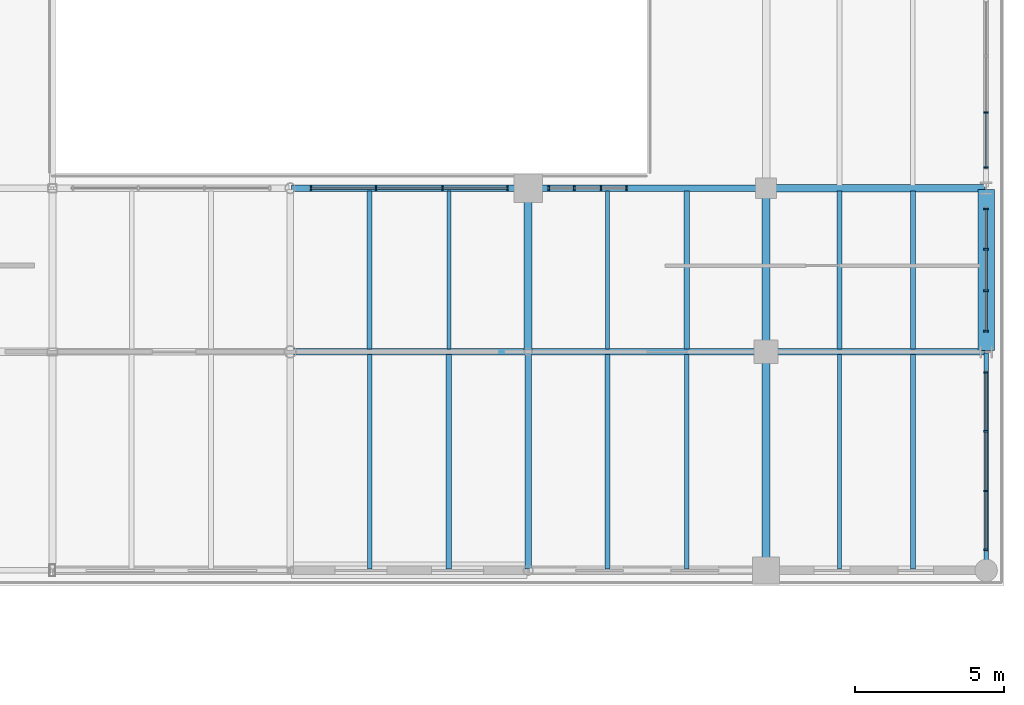
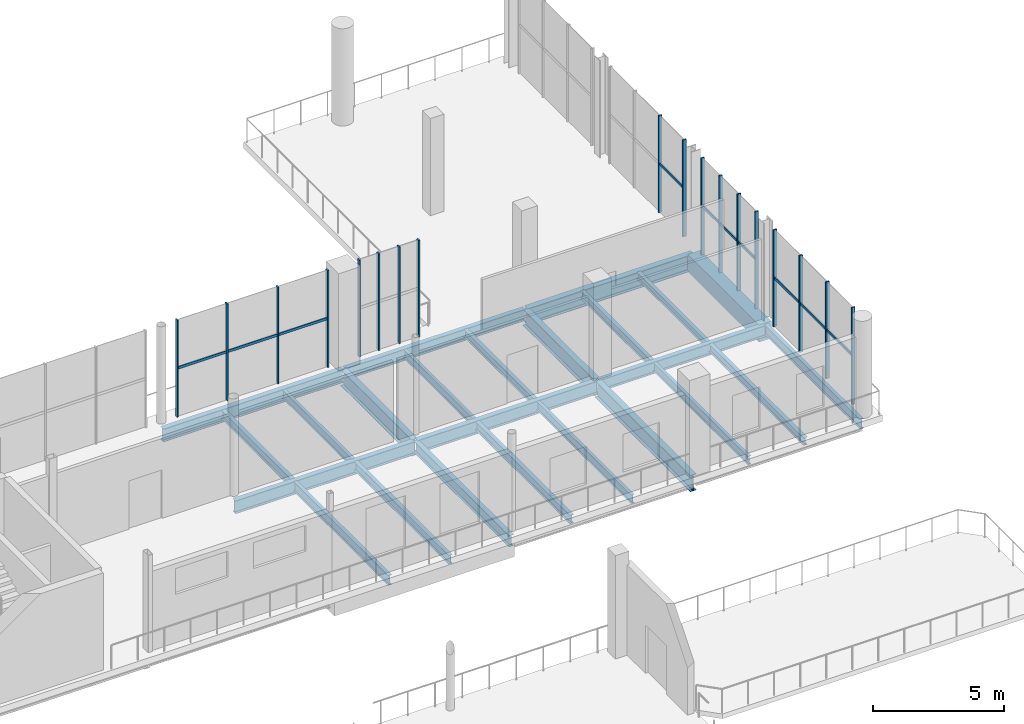
# One storey, part 57 of 93: 28 members, 24 beams, 5 elements without a shape of their own.
"""IFC4 building model written with IfcOpenShell, lengths in metres."""

import ifcopenshell
import ifcopenshell.guid

model = None  # the IFC model being written
_history = None  # IfcOwnerHistory: only IFC2X3 demands one
_inside = {}  # id of a spatial element -> (the spatial element, [elements in it])
_under = {}  # id of a project, library or spatial element -> (it, [spatial elements below it])
_declared = {}  # id of a project -> (the project, [libraries it declares])
_typed = {}  # id of a type object -> (the type object, [elements of that type])
_made_of = {}  # id of a material, layer set ... -> (it, [elements and type objects made of it])


def new_model(schema):
    """Start an empty IFC model of exactly this schema.

    Asked for "IFC4X3", IfcOpenShell would pick the latest addendum, in which some entities
    have other attributes; the version numbers below select the first issue.
    IFC2X3 requires an IfcOwnerHistory on every rooted entity: one is made here for all.
    """
    global model, _history
    if schema == "IFC4X3":
        model = ifcopenshell.file(schema_version=(4, 3, 0, 0))
    else:
        model = ifcopenshell.file(schema=schema)
    _inside.clear()
    _under.clear()
    _declared.clear()
    _typed.clear()
    _made_of.clear()
    _history = None
    if model.schema == "IFC2X3":
        org = make("IfcOrganization", Name="unknown")
        user = make(
            "IfcPersonAndOrganization",
            ThePerson=make("IfcPerson", FamilyName="unknown"),
            TheOrganization=org,
        )
        app = make(
            "IfcApplication",
            ApplicationDeveloper=org,
            Version="unknown",
            ApplicationFullName="unknown",
            ApplicationIdentifier="unknown",
        )
        _history = make(
            "IfcOwnerHistory",
            OwningUser=user,
            OwningApplication=app,
            ChangeAction="ADDED",
            CreationDate=0,
        )
    return model


def make(cls, **values):
    """One entity of the class cls with the attributes given. An attribute that is None is left unset."""
    return model.create_entity(
        cls, **{name: value for name, value in values.items() if value is not None}
    )


def rooted(cls, **values):
    """An entity with a GlobalId (a new one), such as an element, a storey or a relation."""
    return make(cls, GlobalId=ifcopenshell.guid.new(), OwnerHistory=_history, **values)


def si_unit(unit_type, name, prefix=None):
    """IfcSIUnit, for example si_unit("LENGTHUNIT", "METRE", prefix="MILLI")."""
    return make("IfcSIUnit", UnitType=unit_type, Prefix=prefix, Name=name)


def assignment(units):
    """IfcUnitAssignment: the units of a project."""
    return None if units is None else make("IfcUnitAssignment", Units=units)


def point(xyz):
    """IfcCartesianPoint."""
    return None if xyz is None else make("IfcCartesianPoint", Coordinates=xyz)


def direction(xyz):
    """IfcDirection."""
    return None if xyz is None else make("IfcDirection", DirectionRatios=xyz)


def frame(location, z_axis=None, x_axis=None):
    """IfcAxis2Placement3D, a coordinate frame: its origin and axes. An axis left out is left unset."""
    return make(
        "IfcAxis2Placement3D",
        Location=point(location),
        Axis=direction(z_axis),
        RefDirection=direction(x_axis),
    )


def frame_2d(location, x_axis=None):
    """IfcAxis2Placement2D, a coordinate frame in the plane: its origin and x axis."""
    return make(
        "IfcAxis2Placement2D", Location=point(location), RefDirection=direction(x_axis)
    )


def origin():
    """The frame at (0, 0, 0) with its axes left unset."""
    return frame((0.0, 0.0, 0.0))


def origin_2d():
    """The frame at (0, 0) in the plane with its x axis left unset."""
    return frame_2d((0.0, 0.0))


def place(relative_to, where):
    """IfcLocalPlacement: puts the frame where relative to a parent placement (None: the world)."""
    return make(
        "IfcLocalPlacement", PlacementRelTo=relative_to, RelativePlacement=where
    )


def context(
    kind, dimensions, precision=None, world=None, true_north=None, identifier=None
):
    """IfcGeometricRepresentationContext, for example the 3D "Model" context."""
    return make(
        "IfcGeometricRepresentationContext",
        ContextIdentifier=identifier,
        ContextType=kind,
        CoordinateSpaceDimension=dimensions,
        Precision=precision,
        WorldCoordinateSystem=world,
        TrueNorth=true_north,
    )


def subcontext(parent, identifier, kind, view, scale=None):
    """IfcGeometricRepresentationSubContext, for example "Body" below "Model"."""
    return make(
        "IfcGeometricRepresentationSubContext",
        ContextIdentifier=identifier,
        ContextType=kind,
        ParentContext=parent,
        TargetScale=scale,
        TargetView=view,
    )


def project(units=None, contexts=None):
    """IfcProject with its units and contexts."""
    return rooted(
        "IfcProject",
        Name="project",
        RepresentationContexts=contexts,
        UnitsInContext=assignment(units),
    )


def spatial(cls, under=None, at=None, **own):
    """A site, building, storey or space (cls), placed at a placement, below another one or the project."""
    s = rooted(cls, ObjectPlacement=at, **own)
    if under is not None:
        _under.setdefault(under.id(), (under, []))[1].append(s)
    return s


def profile(cls, at=None, kind="AREA", **sizes):
    """A parametric profile (cls). Its sizes go by their IFC names, for example OverallWidth=200.0."""
    return make(cls, ProfileType=kind, Position=at, **sizes)


def rectangle(**sizes):
    """IfcRectangleProfileDef."""
    return profile("IfcRectangleProfileDef", **sizes)


def i_section(**sizes):
    """IfcIShapeProfileDef."""
    return profile("IfcIShapeProfileDef", **sizes)


def extrude(swept, where, along, depth):
    """IfcExtrudedAreaSolid: the profile swept, set in the frame where, extruded along a direction by depth."""
    return make(
        "IfcExtrudedAreaSolid",
        SweptArea=swept,
        Position=where,
        ExtrudedDirection=direction(along),
        Depth=depth,
    )


def shape(context_of_items, identifier, shape_type, items):
    """IfcShapeRepresentation: the items that make up one representation, for example the "Body"."""
    return make(
        "IfcShapeRepresentation",
        ContextOfItems=context_of_items,
        RepresentationIdentifier=identifier,
        RepresentationType=shape_type,
        Items=items,
    )


def material(Name=None, Category=None):
    """IfcMaterial."""
    return make("IfcMaterial", Name=Name, Category=Category)


def material_profile(
    of_material, cross_section, Name=None, Category=None, Priority=None
):
    """IfcMaterialProfile: a cross section and its material."""
    return make(
        "IfcMaterialProfile",
        Name=Name,
        Material=of_material,
        Profile=cross_section,
        Priority=Priority,
        Category=Category,
    )


def profile_set(profiles, Name=None, composite=None):
    """IfcMaterialProfileSet."""
    return make(
        "IfcMaterialProfileSet",
        Name=Name,
        MaterialProfiles=profiles,
        CompositeProfile=composite,
    )


def made_of(thing, what):
    """Note that an element or type object is made of a material, layer set ...; save() writes the relation."""
    if what is not None:
        _made_of.setdefault(what.id(), (what, []))[1].append(thing)
    return thing


def type_object(cls, material=None, **own):
    """A type object (cls), such as IfcWallType, which elements share."""
    return made_of(rooted(cls, **own), material)


def element(
    cls,
    number,
    at=None,
    inside=None,
    cuts=None,
    type_object=None,
    material=None,
    context=None,
    identifier="Body",
    shape_type=None,
    held_by="IfcProductDefinitionShape",
    body=None,
    shapes=None,
    **own,
):
    """One element of the class cls, such as IfcWall. Its Tag is "e" and its number.

    at: its placement. inside: the storey or other place that contains it. cuts: it is an
    opening in that element (IfcRelVoidsElement). A single representation is given by context,
    identifier, shape_type and body (its items); several are given by shapes. held_by: the class
    of the entity that holds the representations. save() writes the other relations.
    """
    e = rooted(cls, Tag="e%d" % number, ObjectPlacement=at, **own)
    if body is not None:
        shapes = [shape(context, identifier, shape_type, body)]
    if shapes is not None:
        e.Representation = make(held_by, Representations=shapes)
    if inside is not None:
        _inside.setdefault(inside.id(), (inside, []))[1].append(e)
    if cuts is not None:
        rooted(
            "IfcRelVoidsElement", RelatingBuildingElement=cuts, RelatedOpeningElement=e
        )
    if type_object is not None:
        _typed.setdefault(type_object.id(), (type_object, []))[1].append(e)
    return made_of(e, material)


def aggregate(whole, parts):
    """IfcRelAggregates: a whole, such as a stair, and the parts it consists of."""
    return rooted("IfcRelAggregates", RelatingObject=whole, RelatedObjects=parts)


def save(model, path):
    """Write the relations noted so far, then the file.

    IfcRelAggregates (storeys below a building ...), IfcRelContainedInSpatialStructure (elements
    in a storey), IfcRelDefinesByType, IfcRelAssociatesMaterial and IfcRelDeclares: one each for
    every whole, place, type object, material and project.
    """
    for whole, parts in _under.values():
        aggregate(whole, parts)
    for where, things in _inside.values():
        rooted(
            "IfcRelContainedInSpatialStructure",
            RelatedElements=things,
            RelatingStructure=where,
        )
    for kind, things in _typed.values():
        rooted("IfcRelDefinesByType", RelatedObjects=things, RelatingType=kind)
    for what, things in _made_of.values():
        rooted("IfcRelAssociatesMaterial", RelatedObjects=things, RelatingMaterial=what)
    for by, libraries in _declared.values():
        rooted("IfcRelDeclares", RelatingContext=by, RelatedDefinitions=libraries)
    model.write(path)


model = new_model("IFC4")

# Units and contexts
model_context = context("Model", 3, precision=1e-05, world=origin(), true_north=direction((0.0, 1.0)))
body_context = subcontext(model_context, "Body", "Model", "MODEL_VIEW")
ifc_project = project(units=[si_unit("LENGTHUNIT", "METRE"), si_unit("AREAUNIT", "SQUARE_METRE"), si_unit("VOLUMEUNIT", "CUBIC_METRE"), si_unit("PLANEANGLEUNIT", "RADIAN"), si_unit("MASSUNIT", "GRAM", prefix="KILO")], contexts=[model_context])

# Site, building, storey
site_placement = place(None, origin())
site = spatial("IfcSite", under=ifc_project, at=site_placement, CompositionType="ELEMENT")
building_placement = place(site_placement, origin())
building = spatial("IfcBuilding", under=site, at=building_placement, Name="Brisemont Oceanarium", CompositionType="ELEMENT")
storey_placement = place(building_placement, frame((0.0, 0.0, 5.39990234375)))
storey = spatial("IfcBuildingStorey", under=building, at=storey_placement, Name="L01", CompositionType="ELEMENT", Elevation=5.39990234375)

# Beams
ifc_material_1 = material(Name="Concrete C40/50", Category="concrete")
ifc_material_profile_1 = material_profile(ifc_material_1, rectangle(XDim=0.550048828125, YDim=0.800048828125, at=origin_2d()), Name="RC-BM-550X800")
ifc_profile_set_1 = profile_set([ifc_material_profile_1], Name="Concrete C40/50")
beam_type_1 = type_object("IfcBeamType", Name="BM-RC550X800", PredefinedType="SPANDREL", material=ifc_profile_set_1)
beam_1_placement = place(storey_placement, frame((159.39990234375, 88.0400390625, -0.699951171875), z_axis=(0.0, 1.0, 0.0), x_axis=(-1.0, 0.0, 0.0)))
element("IfcBeam", 1, at=beam_1_placement, inside=storey, type_object=beam_type_1, Name="V6 L01 NS girder", PredefinedType="SPANDREL", context=body_context, shape_type="SweptSolid", body=[
    extrude(rectangle(XDim=0.550048828125, YDim=0.800048828125, at=origin_2d()), origin(), (0.0, 0.0, 1.0), 5.419921875),
])
ifc_material_2 = material(Name="Structural Steel ASTM A992 Gr.50", Category="steel")
ifc_material_profile_2 = material_profile(ifc_material_2, i_section(OverallWidth=0.1650390625, OverallDepth=0.31005859375, WebThickness=0.005859375, FlangeThickness=0.009765625, FilletRadius=0.008056640625, at=origin_2d()), Name="W12X26")
ifc_profile_set_2 = profile_set([ifc_material_profile_2], Name="Structural Steel ASTM A992 Gr.50")
beam_type_2 = type_object("IfcBeamType", Name="BM-W12X26", PredefinedType="JOIST", material=ifc_profile_set_2)
beam_2_placement = place(storey_placement, frame((156.933349609375, 88.090087890625, -0.454833984375), z_axis=(0.0, 1.0, 0.0), x_axis=(-1.0, 0.0, 0.0)))
element("IfcBeam", 2, at=beam_2_placement, inside=storey, type_object=beam_type_2, Name="V6 L01 secondary floor beam", PredefinedType="JOIST", context=body_context, shape_type="SweptSolid", body=[
    extrude(i_section(OverallWidth=0.1650390625, OverallDepth=0.31005859375, WebThickness=0.005859375, FlangeThickness=0.009765625, FilletRadius=0.008056640625, at=origin_2d()), origin(), (0.0, 0.0, 1.0), 5.31982421875),
])
ifc_material_3 = material(Name="Structural Steel ASTM A992 Gr.50", Category="steel")
ifc_material_profile_3 = material_profile(ifc_material_3, i_section(OverallWidth=0.1708984375, OverallDepth=0.35107421875, WebThickness=0.0068359375, FlangeThickness=0.009765625, FilletRadius=0.010009765625, at=origin_2d()), Name="W14X30")
ifc_profile_set_3 = profile_set([ifc_material_profile_3], Name="Structural Steel ASTM A992 Gr.50")
beam_type_3 = type_object("IfcBeamType", Name="BM-W14X30", PredefinedType="JOIST", material=ifc_profile_set_3)
beam_3_placement = place(storey_placement, frame((149.333251953125, 88.090087890625, -0.475341796875), z_axis=(0.0, 1.0, 0.0), x_axis=(-1.0, 0.0, 0.0)))
element("IfcBeam", 3, at=beam_3_placement, inside=storey, type_object=beam_type_3, Name="V6 L01 secondary floor beam", PredefinedType="JOIST", context=body_context, shape_type="SweptSolid", body=[
    extrude(i_section(OverallWidth=0.1708984375, OverallDepth=0.35107421875, WebThickness=0.0068359375, FlangeThickness=0.009765625, FilletRadius=0.010009765625, at=origin_2d()), origin(), (0.0, 0.0, 1.0), 5.31982421875),
])
beam_4_placement = place(storey_placement, frame((156.933349609375, 80.68994140625, -0.475341796875), z_axis=(0.0, 1.0, 0.0), x_axis=(-1.0, 0.0, 0.0)))
element("IfcBeam", 4, at=beam_4_placement, inside=storey, type_object=beam_type_3, Name="V6 L01 secondary floor beam", PredefinedType="JOIST", context=body_context, shape_type="SweptSolid", body=[
    extrude(i_section(OverallWidth=0.1708984375, OverallDepth=0.35107421875, WebThickness=0.0068359375, FlangeThickness=0.009765625, FilletRadius=0.010009765625, at=origin_2d()), origin(), (0.0, 0.0, 1.0), 7.219970703125),
])
beam_5_placement = place(storey_placement, frame((154.466796875, 88.090087890625, -0.475341796875), z_axis=(0.0, 1.0, 0.0), x_axis=(-1.0, 0.0, 0.0)))
element("IfcBeam", 5, at=beam_5_placement, inside=storey, type_object=beam_type_3, Name="V6 L01 secondary floor beam", PredefinedType="JOIST", context=body_context, shape_type="SweptSolid", body=[
    extrude(i_section(OverallWidth=0.1708984375, OverallDepth=0.35107421875, WebThickness=0.0068359375, FlangeThickness=0.009765625, FilletRadius=0.010009765625, at=origin_2d()), origin(), (0.0, 0.0, 1.0), 5.31982421875),
])
ifc_material_4 = material(Name="Structural Steel ASTM A992 Gr.50", Category="steel")
ifc_material_profile_4 = material_profile(ifc_material_4, i_section(OverallWidth=0.139892578125, OverallDepth=0.39892578125, WebThickness=0.00634765625, FlangeThickness=0.0087890625, FilletRadius=0.010009765625, at=origin_2d()), Name="W16X26")
ifc_profile_set_4 = profile_set([ifc_material_profile_4], Name="Structural Steel ASTM A992 Gr.50")
beam_type_4 = type_object("IfcBeamType", Name="BM-W16X26", PredefinedType="JOIST", material=ifc_profile_set_4)
beam_6_placement = place(storey_placement, frame((141.333251953125, 88.090087890625, -0.49951171875), z_axis=(0.0, 1.0, 0.0), x_axis=(-1.0, 0.0, 0.0)))
element("IfcBeam", 6, at=beam_6_placement, inside=storey, type_object=beam_type_4, Name="V6 L01 secondary floor beam", PredefinedType="JOIST", context=body_context, shape_type="SweptSolid", body=[
    extrude(i_section(OverallWidth=0.139892578125, OverallDepth=0.39892578125, WebThickness=0.00634765625, FlangeThickness=0.0087890625, FilletRadius=0.010009765625, at=origin_2d()), origin(), (0.0, 0.0, 1.0), 5.31982421875),
])
beam_7_placement = place(storey_placement, frame((149.333251953125, 80.68994140625, -0.49951171875), z_axis=(0.0, 1.0, 0.0), x_axis=(-1.0, 0.0, 0.0)))
element("IfcBeam", 7, at=beam_7_placement, inside=storey, type_object=beam_type_4, Name="V6 L01 secondary floor beam", PredefinedType="JOIST", context=body_context, shape_type="SweptSolid", body=[
    extrude(i_section(OverallWidth=0.139892578125, OverallDepth=0.39892578125, WebThickness=0.00634765625, FlangeThickness=0.0087890625, FilletRadius=0.010009765625, at=origin_2d()), origin(), (0.0, 0.0, 1.0), 7.219970703125),
])
beam_8_placement = place(storey_placement, frame((146.666748046875, 88.090087890625, -0.49951171875), z_axis=(0.0, 1.0, 0.0), x_axis=(-1.0, 0.0, 0.0)))
element("IfcBeam", 8, at=beam_8_placement, inside=storey, type_object=beam_type_4, Name="V6 L01 secondary floor beam", PredefinedType="JOIST", context=body_context, shape_type="SweptSolid", body=[
    extrude(i_section(OverallWidth=0.139892578125, OverallDepth=0.39892578125, WebThickness=0.00634765625, FlangeThickness=0.0087890625, FilletRadius=0.010009765625, at=origin_2d()), origin(), (0.0, 0.0, 1.0), 5.31982421875),
])
beam_9_placement = place(storey_placement, frame((154.466796875, 80.68994140625, -0.49951171875), z_axis=(0.0, 1.0, 0.0), x_axis=(-1.0, 0.0, 0.0)))
element("IfcBeam", 9, at=beam_9_placement, inside=storey, type_object=beam_type_4, Name="V6 L01 secondary floor beam", PredefinedType="JOIST", context=body_context, shape_type="SweptSolid", body=[
    extrude(i_section(OverallWidth=0.139892578125, OverallDepth=0.39892578125, WebThickness=0.00634765625, FlangeThickness=0.0087890625, FilletRadius=0.010009765625, at=origin_2d()), origin(), (0.0, 0.0, 1.0), 7.219970703125),
])
ifc_material_5 = material(Name="Structural Steel ASTM A992 Gr.50", Category="steel")
ifc_material_profile_5 = material_profile(ifc_material_5, i_section(OverallWidth=0.177978515625, OverallDepth=0.404052734375, WebThickness=0.007568359375, FlangeThickness=0.010986328125, FilletRadius=0.010009765625, at=origin_2d()), Name="W16X36")
ifc_profile_set_5 = profile_set([ifc_material_profile_5], Name="Structural Steel ASTM A992 Gr.50")
beam_type_5 = type_object("IfcBeamType", Name="BM-W16X36", PredefinedType="JOIST", material=ifc_profile_set_5)
beam_10_placement = place(storey_placement, frame((141.333251953125, 80.68994140625, -0.501953125), z_axis=(0.0, 1.0, 0.0), x_axis=(-1.0, 0.0, 0.0)))
element("IfcBeam", 10, at=beam_10_placement, inside=storey, type_object=beam_type_5, Name="V6 L01 secondary floor beam", PredefinedType="JOIST", context=body_context, shape_type="SweptSolid", body=[
    extrude(i_section(OverallWidth=0.177978515625, OverallDepth=0.404052734375, WebThickness=0.007568359375, FlangeThickness=0.010986328125, FilletRadius=0.010009765625, at=origin_2d()), origin(), (0.0, 0.0, 1.0), 7.219970703125),
])
beam_11_placement = place(storey_placement, frame((138.666748046875, 88.090087890625, -0.501953125), z_axis=(0.0, 1.0, 0.0), x_axis=(-1.0, 0.0, 0.0)))
element("IfcBeam", 11, at=beam_11_placement, inside=storey, type_object=beam_type_5, Name="V6 L01 secondary floor beam", PredefinedType="JOIST", context=body_context, shape_type="SweptSolid", body=[
    extrude(i_section(OverallWidth=0.177978515625, OverallDepth=0.404052734375, WebThickness=0.007568359375, FlangeThickness=0.010986328125, FilletRadius=0.010009765625, at=origin_2d()), origin(), (0.0, 0.0, 1.0), 5.31982421875),
])
beam_12_placement = place(storey_placement, frame((146.666748046875, 80.68994140625, -0.501953125), z_axis=(0.0, 1.0, 0.0), x_axis=(-1.0, 0.0, 0.0)))
element("IfcBeam", 12, at=beam_12_placement, inside=storey, type_object=beam_type_5, Name="V6 L01 secondary floor beam", PredefinedType="JOIST", context=body_context, shape_type="SweptSolid", body=[
    extrude(i_section(OverallWidth=0.177978515625, OverallDepth=0.404052734375, WebThickness=0.007568359375, FlangeThickness=0.010986328125, FilletRadius=0.010009765625, at=origin_2d()), origin(), (0.0, 0.0, 1.0), 7.219970703125),
])
ifc_material_6 = material(Name="Structural Steel ASTM A992 Gr.50", Category="steel")
ifc_material_profile_6 = material_profile(ifc_material_6, i_section(OverallWidth=0.153076171875, OverallDepth=0.455078125, WebThickness=0.008056640625, FlangeThickness=0.01318359375, FilletRadius=0.010986328125, at=origin_2d()), Name="W18X40")
ifc_profile_set_6 = profile_set([ifc_material_profile_6], Name="Structural Steel ASTM A992 Gr.50")
beam_type_6 = type_object("IfcBeamType", Name="BM-W18X40", PredefinedType="JOIST", material=ifc_profile_set_6)
beam_13_placement = place(storey_placement, frame((138.666748046875, 80.68994140625, -0.52734375), z_axis=(0.0, 1.0, 0.0), x_axis=(-1.0, 0.0, 0.0)))
element("IfcBeam", 13, at=beam_13_placement, inside=storey, type_object=beam_type_6, Name="V6 L01 secondary floor beam", PredefinedType="JOIST", context=body_context, shape_type="SweptSolid", body=[
    extrude(i_section(OverallWidth=0.153076171875, OverallDepth=0.455078125, WebThickness=0.008056640625, FlangeThickness=0.01318359375, FilletRadius=0.010986328125, at=origin_2d()), origin(), (0.0, 0.0, 1.0), 7.219970703125),
])
ifc_material_7 = material(Name="Structural Steel ASTM A992 Gr.50", Category="steel")
ifc_material_profile_7 = material_profile(ifc_material_7, i_section(OverallWidth=0.154052734375, OverallDepth=0.458984375, WebThickness=0.009033203125, FlangeThickness=0.015380859375, FilletRadius=0.010986328125, at=origin_2d()), Name="W18X46")
ifc_profile_set_7 = profile_set([ifc_material_profile_7], Name="Structural Steel ASTM A992 Gr.50")
beam_type_7 = type_object("IfcBeamType", Name="BM-W18X46", PredefinedType="SPANDREL", material=ifc_profile_set_7)
beam_14_placement = place(storey_placement, frame((159.39990234375, 80.68994140625, -0.529296875), z_axis=(0.0, 1.0, 0.0), x_axis=(-1.0, 0.0, 0.0)))
element("IfcBeam", 14, at=beam_14_placement, inside=storey, type_object=beam_type_7, Name="V6 L01 NS girder", PredefinedType="SPANDREL", context=body_context, shape_type="SweptSolid", body=[
    extrude(i_section(OverallWidth=0.154052734375, OverallDepth=0.458984375, WebThickness=0.009033203125, FlangeThickness=0.015380859375, FilletRadius=0.010986328125, at=origin_2d()), origin(), (0.0, 0.0, 1.0), 7.27001953125),
])
ifc_material_8 = material(Name="Structural Steel ASTM A992 Gr.50", Category="steel")
ifc_material_profile_8 = material_profile(ifc_material_8, i_section(OverallWidth=0.2099609375, OverallDepth=0.532958984375, WebThickness=0.01025390625, FlangeThickness=0.015625, FilletRadius=0.012939453125, at=origin_2d()), Name="W21X62")
ifc_profile_set_8 = profile_set([ifc_material_profile_8], Name="Structural Steel ASTM A992 Gr.50")
beam_type_8 = type_object("IfcBeamType", Name="BM-W21X62", PredefinedType="BEAM", material=ifc_profile_set_8)
beam_15_placement = place(storey_placement, frame((152.0400390625, 88.0, -0.56640625), z_axis=(1.0, 0.0, 0.0), x_axis=(0.0, 1.0, 0.0)))
element("IfcBeam", 15, at=beam_15_placement, inside=storey, type_object=beam_type_8, Name="V6 L01 EW girder", PredefinedType="BEAM", context=body_context, shape_type="SweptSolid", body=[
    extrude(i_section(OverallWidth=0.2099609375, OverallDepth=0.532958984375, WebThickness=0.01025390625, FlangeThickness=0.015625, FilletRadius=0.012939453125, at=origin_2d()), origin(), (0.0, 0.0, 1.0), 7.320068359375),
])
beam_16_placement = place(storey_placement, frame((144.0400390625, 93.5, -0.56640625), z_axis=(1.0, 0.0, 0.0), x_axis=(0.0, 1.0, 0.0)))
element("IfcBeam", 16, at=beam_16_placement, inside=storey, type_object=beam_type_8, Name="V6 L01 EW girder", PredefinedType="BEAM", context=body_context, shape_type="SweptSolid", body=[
    extrude(i_section(OverallWidth=0.2099609375, OverallDepth=0.532958984375, WebThickness=0.01025390625, FlangeThickness=0.015625, FilletRadius=0.012939453125, at=origin_2d()), origin(), (0.0, 0.0, 1.0), 7.919921875),
])
beam_17_placement = place(storey_placement, frame((144.0, 80.68994140625, -0.56640625), z_axis=(0.0, 1.0, 0.0), x_axis=(-1.0, 0.0, 0.0)))
element("IfcBeam", 17, at=beam_17_placement, inside=storey, type_object=beam_type_8, Name="V6 L01 NS girder", PredefinedType="BEAM", context=body_context, shape_type="SweptSolid", body=[
    extrude(i_section(OverallWidth=0.2099609375, OverallDepth=0.532958984375, WebThickness=0.01025390625, FlangeThickness=0.015625, FilletRadius=0.012939453125, at=origin_2d()), origin(), (0.0, 0.0, 1.0), 7.27001953125),
])
ifc_material_9 = material(Name="Structural Steel ASTM A992 Gr.50", Category="steel")
ifc_material_profile_9 = material_profile(ifc_material_9, i_section(OverallWidth=0.22802734375, OverallDepth=0.60205078125, WebThickness=0.010498046875, FlangeThickness=0.014892578125, FilletRadius=0.012939453125, at=origin_2d()), Name="W24X68")
ifc_profile_set_9 = profile_set([ifc_material_profile_9], Name="Structural Steel ASTM A992 Gr.50")
beam_type_9 = type_object("IfcBeamType", Name="BM-W24X68", PredefinedType="BEAM", material=ifc_profile_set_9)
for number, where, z_axis, x_axis, name in (
    (18, (144.0400390625, 88.0, -0.600830078125), (1.0, 0.0, 0.0), (0.0, 1.0, 0.0), "V6 L01 EW girder"),
    (19, (136.0400390625, 93.5, -0.600830078125), (1.0, 0.0, 0.0), (0.0, 1.0, 0.0), "V6 L01 EW girder"),
):
    element("IfcBeam", number, at=place(storey_placement, frame(where, z_axis=z_axis, x_axis=x_axis)), inside=storey, type_object=beam_type_9, Name=name, PredefinedType="BEAM", context=body_context, shape_type="SweptSolid", body=[
        extrude(i_section(OverallWidth=0.22802734375, OverallDepth=0.60205078125, WebThickness=0.010498046875, FlangeThickness=0.014892578125, FilletRadius=0.012939453125, at=origin_2d()), origin(), (0.0, 0.0, 1.0), 7.919921875),
    ])
ifc_material_10 = material(Name="Structural Steel ASTM A992 Gr.50", Category="steel")
ifc_material_profile_10 = material_profile(ifc_material_10, i_section(OverallWidth=0.22802734375, OverallDepth=0.60791015625, WebThickness=0.01123046875, FlangeThickness=0.017333984375, FilletRadius=0.012939453125, at=origin_2d()), Name="W24X76")
ifc_profile_set_10 = profile_set([ifc_material_profile_10], Name="Structural Steel ASTM A992 Gr.50")
beam_type_10 = type_object("IfcBeamType", Name="BM-W24X76", PredefinedType="BEAM", material=ifc_profile_set_10)
beam_18_placement = place(storey_placement, frame((136.0400390625, 88.0, -0.60400390625), z_axis=(1.0, 0.0, 0.0), x_axis=(0.0, 1.0, 0.0)))
element("IfcBeam", 20, at=beam_18_placement, inside=storey, type_object=beam_type_10, Name="V6 L01 EW girder", PredefinedType="BEAM", context=body_context, shape_type="SweptSolid", body=[
    extrude(i_section(OverallWidth=0.22802734375, OverallDepth=0.60791015625, WebThickness=0.01123046875, FlangeThickness=0.017333984375, FilletRadius=0.012939453125, at=origin_2d()), origin(), (0.0, 0.0, 1.0), 7.919921875),
])
ifc_material_11 = material(Name="Structural Steel ASTM A992 Gr.50", Category="steel")
ifc_material_profile_11 = material_profile(ifc_material_11, i_section(OverallWidth=0.26708984375, OverallDepth=0.761962890625, WebThickness=0.014404296875, FlangeThickness=0.021484375, FilletRadius=0.01611328125, at=origin_2d()), Name="W30X116")
ifc_profile_set_11 = profile_set([ifc_material_profile_11], Name="Structural Steel ASTM A992 Gr.50")
beam_type_11 = type_object("IfcBeamType", Name="BM-W30X116", PredefinedType="BEAM", material=ifc_profile_set_11)
beam_19_placement = place(storey_placement, frame((152.0400390625, 93.5, -0.680908203125), z_axis=(1.0, 0.0, 0.0), x_axis=(0.0, 1.0, 0.0)))
element("IfcBeam", 21, at=beam_19_placement, inside=storey, type_object=beam_type_11, Name="V6 L01 EW girder", PredefinedType="BEAM", context=body_context, shape_type="SweptSolid", body=[
    extrude(i_section(OverallWidth=0.26708984375, OverallDepth=0.761962890625, WebThickness=0.014404296875, FlangeThickness=0.021484375, FilletRadius=0.01611328125, at=origin_2d()), origin(), (0.0, 0.0, 1.0), 7.320068359375),
])
beam_20_placement = place(storey_placement, frame((144.0, 88.0400390625, -0.680908203125), z_axis=(0.0, 1.0, 0.0), x_axis=(-1.0, 0.0, 0.0)))
element("IfcBeam", 22, at=beam_20_placement, inside=storey, type_object=beam_type_11, Name="V6 L01 NS girder", PredefinedType="BEAM", context=body_context, shape_type="SweptSolid", body=[
    extrude(i_section(OverallWidth=0.26708984375, OverallDepth=0.761962890625, WebThickness=0.014404296875, FlangeThickness=0.021484375, FilletRadius=0.01611328125, at=origin_2d()), origin(), (0.0, 0.0, 1.0), 5.419921875),
])
beam_21_placement = place(storey_placement, frame((152.0, 80.68994140625, -0.680908203125), z_axis=(0.0, 1.0, 0.0), x_axis=(-1.0, 0.0, 0.0)))
element("IfcBeam", 23, at=beam_21_placement, inside=storey, type_object=beam_type_11, Name="V6 L01 NS girder", PredefinedType="BEAM", context=body_context, shape_type="SweptSolid", body=[
    extrude(i_section(OverallWidth=0.26708984375, OverallDepth=0.761962890625, WebThickness=0.014404296875, FlangeThickness=0.021484375, FilletRadius=0.01611328125, at=origin_2d()), origin(), (0.0, 0.0, 1.0), 7.27001953125),
])
ifc_material_12 = material(Name="Structural Steel ASTM A992 Gr.50", Category="steel")
ifc_material_profile_12 = material_profile(ifc_material_12, i_section(OverallWidth=0.264892578125, OverallDepth=0.7529296875, WebThickness=0.01318359375, FlangeThickness=0.01708984375, FilletRadius=0.01611328125, at=origin_2d()), Name="W30X99")
ifc_profile_set_12 = profile_set([ifc_material_profile_12], Name="Structural Steel ASTM A992 Gr.50")
beam_type_12 = type_object("IfcBeamType", Name="BM-W30X99", PredefinedType="BEAM", material=ifc_profile_set_12)
beam_22_placement = place(storey_placement, frame((152.0, 88.0400390625, -0.676513671875), z_axis=(0.0, 1.0, 0.0), x_axis=(-1.0, 0.0, 0.0)))
element("IfcBeam", 24, at=beam_22_placement, inside=storey, type_object=beam_type_12, Name="V6 L01 NS girder", PredefinedType="BEAM", context=body_context, shape_type="SweptSolid", body=[
    extrude(i_section(OverallWidth=0.264892578125, OverallDepth=0.7529296875, WebThickness=0.01318359375, FlangeThickness=0.01708984375, FilletRadius=0.01611328125, at=origin_2d()), origin(), (0.0, 0.0, 1.0), 5.419921875),
])

# Curtain wall, members
ifc_material_13 = material(Name="Anodized Extruded Aluminum 6063-T6", Category="aluminium")
curtain_wall_type = type_object("IfcCurtainWallType", Name="CW-RES-61X43", PredefinedType="NOTDEFINED", material=ifc_material_13)
curtain_wall_1_placement = place(storey_placement, origin())
curtain_wall_1 = element("IfcCurtainWall", 25, at=curtain_wall_1_placement, inside=storey, type_object=curtain_wall_type, Name="CW-17 curtain wall CW-V6-E-L01-01", PredefinedType="NOTDEFINED")
ifc_material_14 = material(Name="Anodized Extruded Aluminum 6063-T6", Category="aluminium")
ifc_material_profile_13 = material_profile(ifc_material_14, rectangle(XDim=0.06005859375, YDim=0.14990234375, at=origin_2d()), Name="CWM-60X150")
ifc_profile_set_13 = profile_set([ifc_material_profile_13], Name="Anodized Extruded Aluminum 6063-T6")
member_type_1 = type_object("IfcMemberType", Name="MEM-CWM-60", PredefinedType="MULLION", material=ifc_profile_set_13)
member_1_placement = place(storey_placement, frame((159.39990234375, 81.344970703125, 0.0), z_axis=(0.0, 0.0, 1.0), x_axis=(0.0, 1.0, 0.0)))
member_1 = element("IfcMember", 26, at=member_1_placement, type_object=member_type_1, Name="CW-V6-E-L01-01 mullion 1", PredefinedType="MULLION", context=body_context, shape_type="SweptSolid", body=[
    extrude(rectangle(XDim=0.06005859375, YDim=0.14990234375, at=origin_2d()), origin(), (0.0, 0.0, 1.0), 4.5),
])
member_2_placement = place(storey_placement, frame((159.39990234375, 83.316650390625, 0.0), z_axis=(0.0, 0.0, 1.0), x_axis=(0.0, 1.0, 0.0)))
member_2 = element("IfcMember", 27, at=member_2_placement, type_object=member_type_1, Name="CW-V6-E-L01-01 mullion 2", PredefinedType="MULLION", context=body_context, shape_type="SweptSolid", body=[
    extrude(rectangle(XDim=0.06005859375, YDim=0.14990234375, at=origin_2d()), origin(), (0.0, 0.0, 1.0), 4.5),
])
member_3_placement = place(storey_placement, frame((159.39990234375, 85.333251953125, 0.0), z_axis=(0.0, 0.0, 1.0), x_axis=(0.0, 1.0, 0.0)))
member_3 = element("IfcMember", 28, at=member_3_placement, type_object=member_type_1, Name="CW-V6-E-L01-01 mullion 3", PredefinedType="MULLION", context=body_context, shape_type="SweptSolid", body=[
    extrude(rectangle(XDim=0.06005859375, YDim=0.14990234375, at=origin_2d()), origin(), (0.0, 0.0, 1.0), 4.5),
])
member_4_placement = place(storey_placement, frame((159.39990234375, 87.304931640625, 0.0), z_axis=(0.0, 0.0, 1.0), x_axis=(0.0, 1.0, 0.0)))
member_4 = element("IfcMember", 29, at=member_4_placement, type_object=member_type_1, Name="CW-V6-E-L01-01 mullion 4", PredefinedType="MULLION", context=body_context, shape_type="SweptSolid", body=[
    extrude(rectangle(XDim=0.06005859375, YDim=0.14990234375, at=origin_2d()), origin(), (0.0, 0.0, 1.0), 4.5),
])

curtain_wall_2_placement = place(storey_placement, origin())
curtain_wall_2 = element("IfcCurtainWall", 30, at=curtain_wall_2_placement, inside=storey, type_object=curtain_wall_type, Name="CW-17 curtain wall CW-V6-E-L01-02", PredefinedType="NOTDEFINED")
member_5_placement = place(storey_placement, frame((159.39990234375, 88.695068359375, 0.0), z_axis=(0.0, 0.0, 1.0), x_axis=(0.0, 1.0, 0.0)))
member_5 = element("IfcMember", 31, at=member_5_placement, type_object=member_type_1, Name="CW-V6-E-L01-02 mullion 1", PredefinedType="MULLION", context=body_context, shape_type="SweptSolid", body=[
    extrude(rectangle(XDim=0.06005859375, YDim=0.14990234375, at=origin_2d()), origin(), (0.0, 0.0, 1.0), 4.5),
])
member_6_placement = place(storey_placement, frame((159.39990234375, 90.050048828125, 0.0), z_axis=(0.0, 0.0, 1.0), x_axis=(0.0, 1.0, 0.0)))
member_6 = element("IfcMember", 32, at=member_6_placement, type_object=member_type_1, Name="CW-V6-E-L01-02 mullion 2", PredefinedType="MULLION", context=body_context, shape_type="SweptSolid", body=[
    extrude(rectangle(XDim=0.06005859375, YDim=0.14990234375, at=origin_2d()), origin(), (0.0, 0.0, 1.0), 4.5),
])
member_7_placement = place(storey_placement, frame((159.39990234375, 91.449951171875, 0.0), z_axis=(0.0, 0.0, 1.0), x_axis=(0.0, 1.0, 0.0)))
member_7 = element("IfcMember", 33, at=member_7_placement, type_object=member_type_1, Name="CW-V6-E-L01-02 mullion 3", PredefinedType="MULLION", context=body_context, shape_type="SweptSolid", body=[
    extrude(rectangle(XDim=0.06005859375, YDim=0.14990234375, at=origin_2d()), origin(), (0.0, 0.0, 1.0), 4.5),
])
member_8_placement = place(storey_placement, frame((159.39990234375, 92.804931640625, 0.0), z_axis=(0.0, 0.0, 1.0), x_axis=(0.0, 1.0, 0.0)))
member_8 = element("IfcMember", 34, at=member_8_placement, type_object=member_type_1, Name="CW-V6-E-L01-02 mullion 4", PredefinedType="MULLION", context=body_context, shape_type="SweptSolid", body=[
    extrude(rectangle(XDim=0.06005859375, YDim=0.14990234375, at=origin_2d()), origin(), (0.0, 0.0, 1.0), 4.5),
])

curtain_wall_3_placement = place(storey_placement, origin())
curtain_wall_3 = element("IfcCurtainWall", 35, at=curtain_wall_3_placement, inside=storey, type_object=curtain_wall_type, Name="CW-17 curtain wall CW-V6-E-L01-03", PredefinedType="NOTDEFINED")
member_9_placement = place(storey_placement, frame((159.39990234375, 94.195068359375, 0.0), z_axis=(0.0, 0.0, 1.0), x_axis=(0.0, 1.0, 0.0)))
member_9 = element("IfcMember", 36, at=member_9_placement, type_object=member_type_1, Name="CW-V6-E-L01-03 mullion 1", PredefinedType="MULLION", context=body_context, shape_type="SweptSolid", body=[
    extrude(rectangle(XDim=0.06005859375, YDim=0.14990234375, at=origin_2d()), origin(), (0.0, 0.0, 1.0), 4.5),
])
member_10_placement = place(storey_placement, frame((159.39990234375, 96.050048828125, 0.0), z_axis=(0.0, 0.0, 1.0), x_axis=(0.0, 1.0, 0.0)))
member_10 = element("IfcMember", 37, at=member_10_placement, type_object=member_type_1, Name="CW-V6-E-L01-03 mullion 2", PredefinedType="MULLION", context=body_context, shape_type="SweptSolid", body=[
    extrude(rectangle(XDim=0.06005859375, YDim=0.14990234375, at=origin_2d()), origin(), (0.0, 0.0, 1.0), 4.5),
])

curtain_wall_4_placement = place(storey_placement, origin())
curtain_wall_4 = element("IfcCurtainWall", 38, at=curtain_wall_4_placement, inside=storey, type_object=curtain_wall_type, Name="CW-17 curtain wall CW-V6-CL-L01-02", PredefinedType="NOTDEFINED")
member_11_placement = place(storey_placement, frame((136.695068359375, 93.5, 0.0), z_axis=(0.0, 0.0, 1.0), x_axis=(1.0, 0.0, 0.0)))
member_11 = element("IfcMember", 39, at=member_11_placement, type_object=member_type_1, Name="CW-V6-CL-L01-02 mullion 1", PredefinedType="MULLION", context=body_context, shape_type="SweptSolid", body=[
    extrude(rectangle(XDim=0.06005859375, YDim=0.14990234375, at=origin_2d()), origin(), (0.0, 0.0, 1.0), 4.5),
])
member_12_placement = place(storey_placement, frame((138.88330078125, 93.5, 0.0), z_axis=(0.0, 0.0, 1.0), x_axis=(1.0, 0.0, 0.0)))
member_12 = element("IfcMember", 40, at=member_12_placement, type_object=member_type_1, Name="CW-V6-CL-L01-02 mullion 2", PredefinedType="MULLION", context=body_context, shape_type="SweptSolid", body=[
    extrude(rectangle(XDim=0.06005859375, YDim=0.14990234375, at=origin_2d()), origin(), (0.0, 0.0, 1.0), 4.5),
])
member_13_placement = place(storey_placement, frame((141.11669921875, 93.5, 0.0), z_axis=(0.0, 0.0, 1.0), x_axis=(1.0, 0.0, 0.0)))
member_13 = element("IfcMember", 41, at=member_13_placement, type_object=member_type_1, Name="CW-V6-CL-L01-02 mullion 3", PredefinedType="MULLION", context=body_context, shape_type="SweptSolid", body=[
    extrude(rectangle(XDim=0.06005859375, YDim=0.14990234375, at=origin_2d()), origin(), (0.0, 0.0, 1.0), 4.5),
])
member_14_placement = place(storey_placement, frame((143.304931640625, 93.5, 0.0), z_axis=(0.0, 0.0, 1.0), x_axis=(1.0, 0.0, 0.0)))
member_14 = element("IfcMember", 42, at=member_14_placement, type_object=member_type_1, Name="CW-V6-CL-L01-02 mullion 4", PredefinedType="MULLION", context=body_context, shape_type="SweptSolid", body=[
    extrude(rectangle(XDim=0.06005859375, YDim=0.14990234375, at=origin_2d()), origin(), (0.0, 0.0, 1.0), 4.5),
])

curtain_wall_5_placement = place(storey_placement, origin())
curtain_wall_5 = element("IfcCurtainWall", 43, at=curtain_wall_5_placement, inside=storey, type_object=curtain_wall_type, Name="CW-17 curtain wall CW-V6-CL-L01-03", PredefinedType="NOTDEFINED")
member_15_placement = place(storey_placement, frame((144.695068359375, 93.5, 0.0), z_axis=(0.0, 0.0, 1.0), x_axis=(1.0, 0.0, 0.0)))
member_15 = element("IfcMember", 44, at=member_15_placement, type_object=member_type_1, Name="CW-V6-CL-L01-03 mullion 1", PredefinedType="MULLION", context=body_context, shape_type="SweptSolid", body=[
    extrude(rectangle(XDim=0.06005859375, YDim=0.14990234375, at=origin_2d()), origin(), (0.0, 0.0, 1.0), 4.5),
])
member_16_placement = place(storey_placement, frame((145.550048828125, 93.5, 0.0), z_axis=(0.0, 0.0, 1.0), x_axis=(1.0, 0.0, 0.0)))
member_16 = element("IfcMember", 45, at=member_16_placement, type_object=member_type_1, Name="CW-V6-CL-L01-03 mullion 2", PredefinedType="MULLION", context=body_context, shape_type="SweptSolid", body=[
    extrude(rectangle(XDim=0.06005859375, YDim=0.14990234375, at=origin_2d()), origin(), (0.0, 0.0, 1.0), 4.5),
])
member_17_placement = place(storey_placement, frame((146.449951171875, 93.5, 0.0), z_axis=(0.0, 0.0, 1.0), x_axis=(1.0, 0.0, 0.0)))
member_17 = element("IfcMember", 46, at=member_17_placement, type_object=member_type_1, Name="CW-V6-CL-L01-03 mullion 3", PredefinedType="MULLION", context=body_context, shape_type="SweptSolid", body=[
    extrude(rectangle(XDim=0.06005859375, YDim=0.14990234375, at=origin_2d()), origin(), (0.0, 0.0, 1.0), 4.5),
])
member_18_placement = place(storey_placement, frame((147.304931640625, 93.5, 0.0), z_axis=(0.0, 0.0, 1.0), x_axis=(1.0, 0.0, 0.0)))
member_18 = element("IfcMember", 47, at=member_18_placement, type_object=member_type_1, Name="CW-V6-CL-L01-03 mullion 4", PredefinedType="MULLION", context=body_context, shape_type="SweptSolid", body=[
    extrude(rectangle(XDim=0.06005859375, YDim=0.14990234375, at=origin_2d()), origin(), (0.0, 0.0, 1.0), 4.5),
])
aggregate(curtain_wall_5, [member_15, member_16, member_17, member_18])

# Member
ifc_material_15 = material(Name="Anodized Extruded Aluminum 6063-T6", Category="aluminium")
ifc_material_profile_14 = material_profile(ifc_material_15, rectangle(XDim=0.06005859375, YDim=0.1201171875, at=origin_2d()), Name="CWT-60X120")
ifc_profile_set_14 = profile_set([ifc_material_profile_14], Name="Anodized Extruded Aluminum 6063-T6")
member_type_2 = type_object("IfcMemberType", Name="MEM-CWT-60", PredefinedType="USERDEFINED", material=ifc_profile_set_14)
member_19_placement = place(storey_placement, frame((159.39990234375, 81.31494140625, 2.25), z_axis=(0.0, 1.0, 0.0), x_axis=(-1.0, 0.0, 0.0)))
member_19 = element("IfcMember", 48, at=member_19_placement, type_object=member_type_2, Name="CW-V6-E-L01-01 transom 1.1", ObjectType="TRANSOM", PredefinedType="USERDEFINED", context=body_context, shape_type="SweptSolid", body=[
    extrude(rectangle(XDim=0.06005859375, YDim=0.1201171875, at=origin_2d()), origin(), (0.0, 0.0, 1.0), 1.98681640625),
])

member_20_placement = place(storey_placement, frame((159.39990234375, 83.331787109375, 2.25), z_axis=(0.0, 1.0, 0.0), x_axis=(-1.0, 0.0, 0.0)))
member_20 = element("IfcMember", 49, at=member_20_placement, type_object=member_type_2, Name="CW-V6-E-L01-01 transom 2.1", ObjectType="TRANSOM", PredefinedType="USERDEFINED", context=body_context, shape_type="SweptSolid", body=[
    extrude(rectangle(XDim=0.06005859375, YDim=0.1201171875, at=origin_2d()), origin(), (0.0, 0.0, 1.0), 1.986572265625),
])

member_21_placement = place(storey_placement, frame((159.39990234375, 85.348388671875, 2.25), z_axis=(0.0, 1.0, 0.0), x_axis=(-1.0, 0.0, 0.0)))
member_21 = element("IfcMember", 50, at=member_21_placement, type_object=member_type_2, Name="CW-V6-E-L01-01 transom 3.1", ObjectType="TRANSOM", PredefinedType="USERDEFINED", context=body_context, shape_type="SweptSolid", body=[
    extrude(rectangle(XDim=0.06005859375, YDim=0.1201171875, at=origin_2d()), origin(), (0.0, 0.0, 1.0), 1.986572265625),
])

aggregate(curtain_wall_1, [member_1, member_2, member_3, member_4, member_19, member_20, member_21])

member_22_placement = place(storey_placement, frame((159.39990234375, 88.6650390625, 2.25), z_axis=(0.0, 1.0, 0.0), x_axis=(-1.0, 0.0, 0.0)))
member_22 = element("IfcMember", 51, at=member_22_placement, type_object=member_type_2, Name="CW-V6-E-L01-02 transom 1.1", ObjectType="TRANSOM", PredefinedType="USERDEFINED", context=body_context, shape_type="SweptSolid", body=[
    extrude(rectangle(XDim=0.06005859375, YDim=0.1201171875, at=origin_2d()), origin(), (0.0, 0.0, 1.0), 1.369873046875),
])

member_23_placement = place(storey_placement, frame((159.39990234375, 90.06494140625, 2.25), z_axis=(0.0, 1.0, 0.0), x_axis=(-1.0, 0.0, 0.0)))
member_23 = element("IfcMember", 52, at=member_23_placement, type_object=member_type_2, Name="CW-V6-E-L01-02 transom 2.1", ObjectType="TRANSOM", PredefinedType="USERDEFINED", context=body_context, shape_type="SweptSolid", body=[
    extrude(rectangle(XDim=0.06005859375, YDim=0.1201171875, at=origin_2d()), origin(), (0.0, 0.0, 1.0), 1.3701171875),
])

member_24_placement = place(storey_placement, frame((159.39990234375, 91.465087890625, 2.25), z_axis=(0.0, 1.0, 0.0), x_axis=(-1.0, 0.0, 0.0)))
member_24 = element("IfcMember", 53, at=member_24_placement, type_object=member_type_2, Name="CW-V6-E-L01-02 transom 3.1", ObjectType="TRANSOM", PredefinedType="USERDEFINED", context=body_context, shape_type="SweptSolid", body=[
    extrude(rectangle(XDim=0.06005859375, YDim=0.1201171875, at=origin_2d()), origin(), (0.0, 0.0, 1.0), 1.369873046875),
])

aggregate(curtain_wall_2, [member_5, member_6, member_7, member_8, member_22, member_23, member_24])

member_25_placement = place(storey_placement, frame((159.39990234375, 94.1650390625, 2.25), z_axis=(0.0, 1.0, 0.0), x_axis=(-1.0, 0.0, 0.0)))
member_25 = element("IfcMember", 54, at=member_25_placement, type_object=member_type_2, Name="CW-V6-E-L01-03 transom 1.1", ObjectType="TRANSOM", PredefinedType="USERDEFINED", context=body_context, shape_type="SweptSolid", body=[
    extrude(rectangle(XDim=0.06005859375, YDim=0.1201171875, at=origin_2d()), origin(), (0.0, 0.0, 1.0), 1.869873046875),
])

aggregate(curtain_wall_3, [member_9, member_10, member_25])

member_26_placement = place(storey_placement, frame((136.6650390625, 93.5, 2.25), z_axis=(1.0, 0.0, 0.0), x_axis=(0.0, 1.0, 0.0)))
member_26 = element("IfcMember", 55, at=member_26_placement, type_object=member_type_2, Name="CW-V6-CL-L01-02 transom 1.1", ObjectType="TRANSOM", PredefinedType="USERDEFINED", context=body_context, shape_type="SweptSolid", body=[
    extrude(rectangle(XDim=0.06005859375, YDim=0.1201171875, at=origin_2d()), origin(), (0.0, 0.0, 1.0), 2.203369140625),
])

member_27_placement = place(storey_placement, frame((138.898193359375, 93.5, 2.25), z_axis=(1.0, 0.0, 0.0), x_axis=(0.0, 1.0, 0.0)))
member_27 = element("IfcMember", 56, at=member_27_placement, type_object=member_type_2, Name="CW-V6-CL-L01-02 transom 2.1", ObjectType="TRANSOM", PredefinedType="USERDEFINED", context=body_context, shape_type="SweptSolid", body=[
    extrude(rectangle(XDim=0.06005859375, YDim=0.1201171875, at=origin_2d()), origin(), (0.0, 0.0, 1.0), 2.20361328125),
])

member_28_placement = place(storey_placement, frame((141.131591796875, 93.5, 2.25), z_axis=(1.0, 0.0, 0.0), x_axis=(0.0, 1.0, 0.0)))
member_28 = element("IfcMember", 57, at=member_28_placement, type_object=member_type_2, Name="CW-V6-CL-L01-02 transom 3.1", ObjectType="TRANSOM", PredefinedType="USERDEFINED", context=body_context, shape_type="SweptSolid", body=[
    extrude(rectangle(XDim=0.06005859375, YDim=0.1201171875, at=origin_2d()), origin(), (0.0, 0.0, 1.0), 2.203369140625),
])

aggregate(curtain_wall_4, [member_11, member_12, member_13, member_14, member_26, member_27, member_28])

save(model, "model.ifc")
